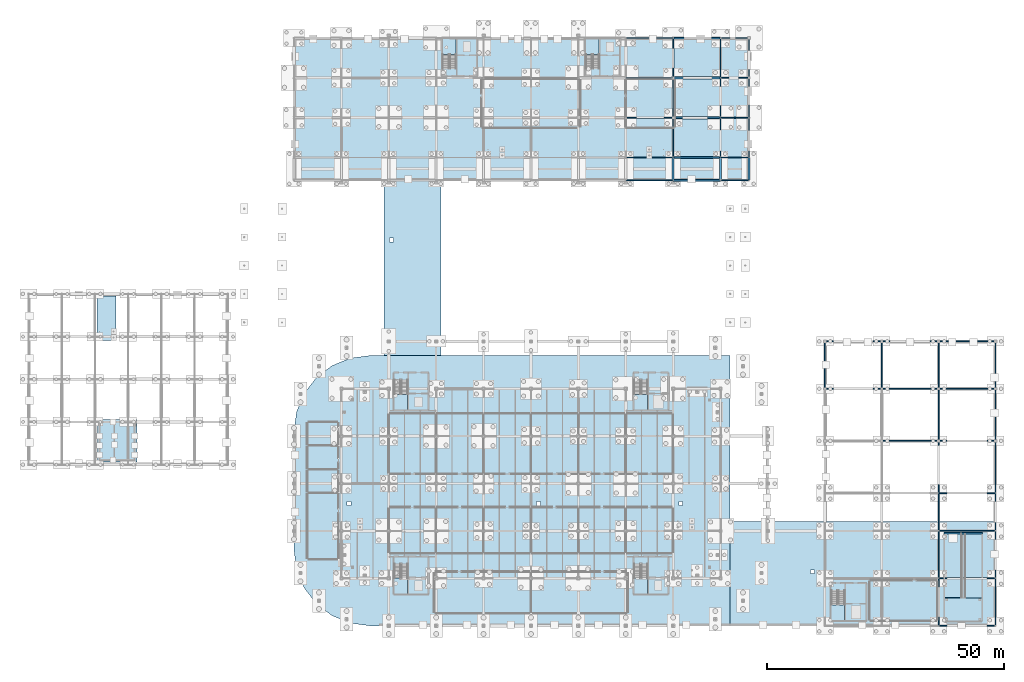
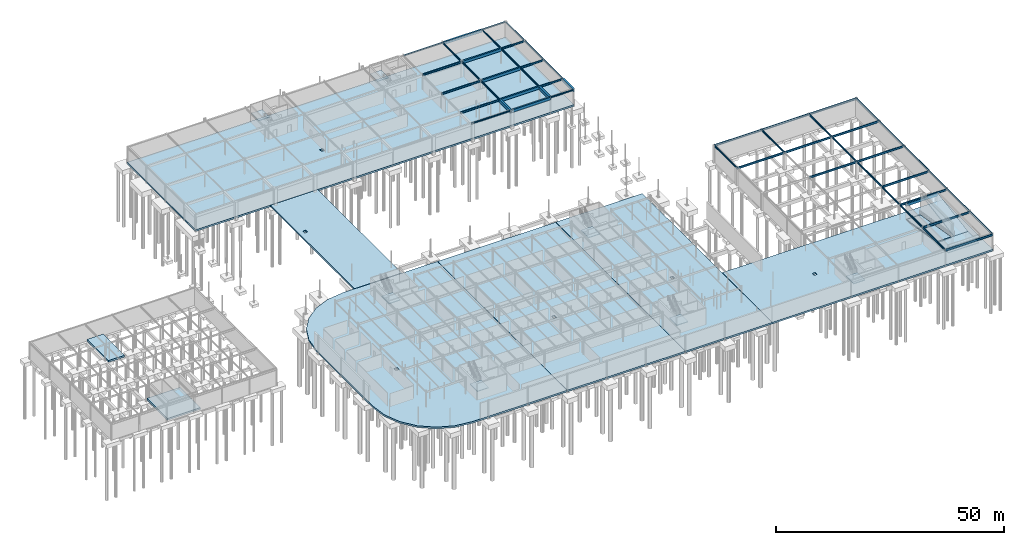
# One storey, part 59 of 75: 54 beams, 18 slabs, 7 elements without a shape of their own.
"""IFC4 building model written with IfcOpenShell, lengths in metres."""

from ifc_helpers import new_model, si_unit, derived_unit, direction, frame, origin, origin_2d_with_axis, place, context, subcontext, project, spatial, polyline, rectangle, i_section, outline, extrude, material, layer, layer_set, material_profile, profile_set, type_object, element, aggregate, save


model = new_model("IFC4")

# Units and contexts
model_context = context("Model", 3, precision=1e-05, world=origin(), true_north=direction((0.0, 1.0)))
body_context = subcontext(model_context, "Body", "Model", "MODEL_VIEW")
ifc_project = project(units=[si_unit("LENGTHUNIT", "METRE"), si_unit("AREAUNIT", "SQUARE_METRE"), si_unit("VOLUMEUNIT", "CUBIC_METRE"), si_unit("PLANEANGLEUNIT", "RADIAN"), si_unit("MASSUNIT", "GRAM", prefix="KILO"), derived_unit("THERMALTRANSMITTANCEUNIT", [(si_unit("POWERUNIT", "WATT"), 1), (si_unit("LENGTHUNIT", "METRE"), -2), (si_unit("THERMODYNAMICTEMPERATUREUNIT", "KELVIN"), -1)])], contexts=[model_context])

# Site, building, storey
site_placement = place(None, origin())
site = spatial("IfcSite", under=ifc_project, at=site_placement, CompositionType="ELEMENT")
building_placement = place(site_placement, origin())
building = spatial("IfcBuilding", under=site, at=building_placement, Name="Cinnabar Yard Market Hall", CompositionType="ELEMENT")
storey_placement = place(building_placement, frame((0.0, 0.0, -4.5)))
storey = spatial("IfcBuildingStorey", under=building, at=storey_placement, Name="B1", CompositionType="ELEMENT", Elevation=-4.5)

# Beams
ifc_material_1 = material(Name="Steel Grade 300 (300 MPa)", Category="steel")
ifc_material_profile_1 = material_profile(ifc_material_1, i_section(OverallWidth=0.208984375, OverallDepth=0.532958984375, WebThickness=0.01025390625, FlangeThickness=0.015625, FilletRadius=0.013916015625, at=origin_2d_with_axis()), Name="530UB92.4")
ifc_profile_set_1 = profile_set([ifc_material_profile_1], Name="Steel Grade 300 (300 MPa)")
beam_type_1 = type_object("IfcBeamType", Name="BM-B03", PredefinedType="BEAM", material=ifc_profile_set_1)
for number, where, z_axis, x_axis, name in (
    (1, (178.0, 64.0, 4.013427734375), (1.0, 0.0, 0.0), (0.0, 1.0, 0.0), "V4 Heavy Deck Girder X 01489"),
    (2, (178.0, 74.0, 4.013427734375), (1.0, 0.0, 0.0), (0.0, 1.0, 0.0), "V4 Heavy Deck Girder X 01490"),
    (3, (190.0, 53.0, 4.013427734375), (1.0, 0.0, 0.0), (0.0, 1.0, 0.0), "V4 Heavy Deck Girder X 01500"),
    (4, (190.0, 64.0, 4.013427734375), (1.0, 0.0, 0.0), (0.0, 1.0, 0.0), "V4 Heavy Deck Girder X 01501"),
    (5, (190.0, 74.0, 4.013427734375), (1.0, 0.0, 0.0), (0.0, 1.0, 0.0), "V4 Heavy Deck Girder X 01502"),
    (6, (202.0, 14.0, 3.93359375), (1.0, 0.0, 0.0), (0.0, 1.0, 0.0), "V4 Heavy Deck Girder X 01508"),
    (7, (202.0, 24.0, 3.93359375), (1.0, 0.0, 0.0), (0.0, 1.0, 0.0), "V4 Heavy Deck Girder X 01509"),
    (8, (202.0, 34.0, 3.93359375), (1.0, 0.0, 0.0), (0.0, 1.0, 0.0), "V4 Heavy Deck Girder X 01510"),
    (9, (202.0, 42.0, 3.93359375), (1.0, 0.0, 0.0), (0.0, 1.0, 0.0), "V4 Heavy Deck Girder X 01511"),
    (10, (202.0, 53.0, 4.013427734375), (1.0, 0.0, 0.0), (0.0, 1.0, 0.0), "V4 Heavy Deck Girder X 01512"),
    (11, (202.0, 64.0, 4.013427734375), (1.0, 0.0, 0.0), (0.0, 1.0, 0.0), "V4 Heavy Deck Girder X 01513"),
    (12, (202.0, 74.0, 4.013427734375), (1.0, 0.0, 0.0), (0.0, 1.0, 0.0), "V4 Heavy Deck Girder X 01514"),
):
    element("IfcBeam", number, at=place(storey_placement, frame(where, z_axis=z_axis, x_axis=x_axis)), inside=storey, type_object=beam_type_1, Name=name, PredefinedType="BEAM", context=body_context, shape_type="SweptSolid", body=[
        extrude(i_section(OverallWidth=0.208984375, OverallDepth=0.532958984375, WebThickness=0.01025390625, FlangeThickness=0.015625, FilletRadius=0.013916015625, at=origin_2d_with_axis()), origin(), (0.0, 0.0, 1.0), 12.0),
    ])
ifc_material_profile_2 = material_profile(ifc_material_1, i_section(OverallWidth=0.19091796875, OverallDepth=0.46044921875, WebThickness=0.010009765625, FlangeThickness=0.01611328125, FilletRadius=0.011474609375, at=origin_2d_with_axis()), Name="460UB82.1")
ifc_profile_set_2 = profile_set([ifc_material_profile_2], Name="Steel Grade 300 (300 MPa)")
beam_type_2 = type_object("IfcBeamType", Name="BM-B04", PredefinedType="BEAM", material=ifc_profile_set_2)
for number, where, z_axis, x_axis, name in (
    (13, (178.0, 64.0, 4.0498046875), (0.0, 1.0, 0.0), (-1.0, 0.0, 0.0), "V4 Heavy Deck Girder Y 01528"),
    (14, (190.0, 64.0, 4.0498046875), (0.0, 1.0, 0.0), (-1.0, 0.0, 0.0), "V4 Heavy Deck Girder Y 01537"),
    (15, (202.0, 14.0, 3.9697265625), (0.0, 1.0, 0.0), (-1.0, 0.0, 0.0), "V4 Heavy Deck Girder Y 01538"),
    (16, (202.0, 24.0, 3.9697265625), (0.0, 1.0, 0.0), (-1.0, 0.0, 0.0), "V4 Heavy Deck Girder Y 01540"),
):
    element("IfcBeam", number, at=place(storey_placement, frame(where, z_axis=z_axis, x_axis=x_axis)), inside=storey, type_object=beam_type_2, Name=name, PredefinedType="BEAM", context=body_context, shape_type="SweptSolid", body=[
        extrude(i_section(OverallWidth=0.19091796875, OverallDepth=0.46044921875, WebThickness=0.010009765625, FlangeThickness=0.01611328125, FilletRadius=0.011474609375, at=origin_2d_with_axis()), origin(), (0.0, 0.0, 1.0), 10.0),
    ])
beam_1_placement = place(storey_placement, frame((202.0, 34.0, 3.9697265625), z_axis=(0.0, 1.0, 0.0), x_axis=(-1.0, 0.0, 0.0)))
element("IfcBeam", 17, at=beam_1_placement, inside=storey, type_object=beam_type_2, Name="V4 Heavy Deck Girder Y 01542", PredefinedType="BEAM", context=body_context, shape_type="SweptSolid", body=[
    extrude(i_section(OverallWidth=0.19091796875, OverallDepth=0.46044921875, WebThickness=0.010009765625, FlangeThickness=0.01611328125, FilletRadius=0.011474609375, at=origin_2d_with_axis()), origin(), (0.0, 0.0, 1.0), 8.0),
])
for number, where, z_axis, x_axis, name in (
    (18, (202.0, 42.0, 4.0498046875), (0.0, 1.0, 0.0), (-1.0, 0.0, 0.0), "V4 Heavy Deck Girder Y 01544"),
    (19, (202.0, 53.0, 4.0498046875), (0.0, 1.0, 0.0), (-1.0, 0.0, 0.0), "V4 Heavy Deck Girder Y 01545"),
):
    element("IfcBeam", number, at=place(storey_placement, frame(where, z_axis=z_axis, x_axis=x_axis)), inside=storey, type_object=beam_type_2, Name=name, PredefinedType="BEAM", context=body_context, shape_type="SweptSolid", body=[
        extrude(i_section(OverallWidth=0.19091796875, OverallDepth=0.46044921875, WebThickness=0.010009765625, FlangeThickness=0.01611328125, FilletRadius=0.011474609375, at=origin_2d_with_axis()), origin(), (0.0, 0.0, 1.0), 11.0),
    ])
for number, where, z_axis, x_axis, name in (
    (20, (202.0, 64.0, 4.0498046875), (0.0, 1.0, 0.0), (-1.0, 0.0, 0.0), "V4 Heavy Deck Girder Y 01546"),
    (21, (214.0, 14.0, 3.9697265625), (0.0, 1.0, 0.0), (-1.0, 0.0, 0.0), "V4 Heavy Deck Girder Y 01547"),
    (22, (214.0, 24.0, 3.9697265625), (0.0, 1.0, 0.0), (-1.0, 0.0, 0.0), "V4 Heavy Deck Girder Y 01549"),
):
    element("IfcBeam", number, at=place(storey_placement, frame(where, z_axis=z_axis, x_axis=x_axis)), inside=storey, type_object=beam_type_2, Name=name, PredefinedType="BEAM", context=body_context, shape_type="SweptSolid", body=[
        extrude(i_section(OverallWidth=0.19091796875, OverallDepth=0.46044921875, WebThickness=0.010009765625, FlangeThickness=0.01611328125, FilletRadius=0.011474609375, at=origin_2d_with_axis()), origin(), (0.0, 0.0, 1.0), 10.0),
    ])
beam_2_placement = place(storey_placement, frame((214.0, 34.0, 3.9697265625), z_axis=(0.0, 1.0, 0.0), x_axis=(-1.0, 0.0, 0.0)))
element("IfcBeam", 23, at=beam_2_placement, inside=storey, type_object=beam_type_2, Name="V4 Heavy Deck Girder Y 01551", PredefinedType="BEAM", context=body_context, shape_type="SweptSolid", body=[
    extrude(i_section(OverallWidth=0.19091796875, OverallDepth=0.46044921875, WebThickness=0.010009765625, FlangeThickness=0.01611328125, FilletRadius=0.011474609375, at=origin_2d_with_axis()), origin(), (0.0, 0.0, 1.0), 8.0),
])
for number, where, z_axis, x_axis, name in (
    (24, (214.0, 42.0, 4.0498046875), (0.0, 1.0, 0.0), (-1.0, 0.0, 0.0), "V4 Heavy Deck Girder Y 01553"),
    (25, (214.0, 53.0, 4.0498046875), (0.0, 1.0, 0.0), (-1.0, 0.0, 0.0), "V4 Heavy Deck Girder Y 01554"),
):
    element("IfcBeam", number, at=place(storey_placement, frame(where, z_axis=z_axis, x_axis=x_axis)), inside=storey, type_object=beam_type_2, Name=name, PredefinedType="BEAM", context=body_context, shape_type="SweptSolid", body=[
        extrude(i_section(OverallWidth=0.19091796875, OverallDepth=0.46044921875, WebThickness=0.010009765625, FlangeThickness=0.01611328125, FilletRadius=0.011474609375, at=origin_2d_with_axis()), origin(), (0.0, 0.0, 1.0), 11.0),
    ])
beam_3_placement = place(storey_placement, frame((214.0, 64.0, 4.0498046875), z_axis=(0.0, 1.0, 0.0), x_axis=(-1.0, 0.0, 0.0)))
element("IfcBeam", 26, at=beam_3_placement, inside=storey, type_object=beam_type_2, Name="V4 Heavy Deck Girder Y 01555", PredefinedType="BEAM", context=body_context, shape_type="SweptSolid", body=[
    extrude(i_section(OverallWidth=0.19091796875, OverallDepth=0.46044921875, WebThickness=0.010009765625, FlangeThickness=0.01611328125, FilletRadius=0.011474609375, at=origin_2d_with_axis()), origin(), (0.0, 0.0, 1.0), 10.0),
])
ifc_material_profile_3 = material_profile(ifc_material_1, i_section(OverallWidth=0.18994140625, OverallDepth=0.453857421875, WebThickness=0.008544921875, FlangeThickness=0.0126953125, FilletRadius=0.011474609375, at=origin_2d_with_axis()), Name="460UB67.1")
ifc_profile_set_3 = profile_set([ifc_material_profile_3], Name="Steel Grade 300 (300 MPa)")
beam_type_3 = type_object("IfcBeamType", Name="BM-B05", PredefinedType="BEAM", material=ifc_profile_set_3)
for number, where, z_axis, x_axis, name in (
    (27, (136.06005859375, 112.800048828125, 3.97314453125), (1.0, 0.0, 0.0), (0.0, 1.0, 0.0), "V3 B1 Girder X 00801"),
    (28, (136.06005859375, 121.199951171875, 3.97314453125), (1.0, 0.0, 0.0), (0.0, 1.0, 0.0), "V3 B1 Girder X 00802"),
    (29, (136.06005859375, 129.60009765625, 3.97314453125), (1.0, 0.0, 0.0), (0.0, 1.0, 0.0), "V3 B1 Girder X 00803"),
):
    element("IfcBeam", number, at=place(storey_placement, frame(where, z_axis=z_axis, x_axis=x_axis)), inside=storey, type_object=beam_type_3, Name=name, PredefinedType="BEAM", context=body_context, shape_type="SweptSolid", body=[
        extrude(i_section(OverallWidth=0.18994140625, OverallDepth=0.453857421875, WebThickness=0.008544921875, FlangeThickness=0.0126953125, FilletRadius=0.011474609375, at=origin_2d_with_axis()), origin(), (0.0, 0.0, 1.0), 9.8798828125),
    ])
for number, where, z_axis, x_axis, name in (
    (30, (156.06005859375, 112.800048828125, 3.97314453125), (1.0, 0.0, 0.0), (0.0, 1.0, 0.0), "V3 B1 Girder X 00811"),
    (31, (156.06005859375, 121.199951171875, 3.97314453125), (1.0, 0.0, 0.0), (0.0, 1.0, 0.0), "V3 B1 Girder X 00812"),
    (32, (156.06005859375, 129.60009765625, 3.97314453125), (1.0, 0.0, 0.0), (0.0, 1.0, 0.0), "V3 B1 Girder X 00813"),
):
    element("IfcBeam", number, at=place(storey_placement, frame(where, z_axis=z_axis, x_axis=x_axis)), inside=storey, type_object=beam_type_3, Name=name, PredefinedType="BEAM", context=body_context, shape_type="SweptSolid", body=[
        extrude(i_section(OverallWidth=0.18994140625, OverallDepth=0.453857421875, WebThickness=0.008544921875, FlangeThickness=0.0126953125, FilletRadius=0.011474609375, at=origin_2d_with_axis()), origin(), (0.0, 0.0, 1.0), 5.8798828125),
    ])
ifc_material_profile_4 = material_profile(ifc_material_1, i_section(OverallWidth=0.177978515625, OverallDepth=0.406494140625, WebThickness=0.0078125, FlangeThickness=0.0126953125, FilletRadius=0.011474609375, at=origin_2d_with_axis()), Name="410UB59.7")
ifc_profile_set_4 = profile_set([ifc_material_profile_4], Name="Steel Grade 300 (300 MPa)")
beam_type_4 = type_object("IfcBeamType", Name="BM-B06", PredefinedType="BEAM", material=ifc_profile_set_4)
beam_4_placement = place(storey_placement, frame((146.0, 112.860107421875, 3.996826171875), z_axis=(0.0, 1.0, 0.0), x_axis=(-1.0, 0.0, 0.0)))
element("IfcBeam", 33, at=beam_4_placement, inside=storey, type_object=beam_type_4, Name="V3 B1 Girder Y 00848", PredefinedType="BEAM", context=body_context, shape_type="SweptSolid", body=[
    extrude(i_section(OverallWidth=0.177978515625, OverallDepth=0.406494140625, WebThickness=0.0078125, FlangeThickness=0.0126953125, FilletRadius=0.011474609375, at=origin_2d_with_axis()), origin(), (0.0, 0.0, 1.0), 8.27978515625),
])
for number, where, z_axis, x_axis, name in (
    (34, (146.0, 121.260009765625, 3.996826171875), (0.0, 1.0, 0.0), (-1.0, 0.0, 0.0), "V3 B1 Girder Y 00849"),
    (35, (146.0, 129.659912109375, 3.996826171875), (0.0, 1.0, 0.0), (-1.0, 0.0, 0.0), "V3 B1 Girder Y 00850"),
):
    element("IfcBeam", number, at=place(storey_placement, frame(where, z_axis=z_axis, x_axis=x_axis)), inside=storey, type_object=beam_type_4, Name=name, PredefinedType="BEAM", context=body_context, shape_type="SweptSolid", body=[
        extrude(i_section(OverallWidth=0.177978515625, OverallDepth=0.406494140625, WebThickness=0.0078125, FlangeThickness=0.0126953125, FilletRadius=0.011474609375, at=origin_2d_with_axis()), origin(), (0.0, 0.0, 1.0), 8.280029296875),
    ])
beam_5_placement = place(storey_placement, frame((156.0, 112.860107421875, 3.996826171875), z_axis=(0.0, 1.0, 0.0), x_axis=(-1.0, 0.0, 0.0)))
element("IfcBeam", 36, at=beam_5_placement, inside=storey, type_object=beam_type_4, Name="V3 B1 Girder Y 00852", PredefinedType="BEAM", context=body_context, shape_type="SweptSolid", body=[
    extrude(i_section(OverallWidth=0.177978515625, OverallDepth=0.406494140625, WebThickness=0.0078125, FlangeThickness=0.0126953125, FilletRadius=0.011474609375, at=origin_2d_with_axis()), origin(), (0.0, 0.0, 1.0), 8.27978515625),
])
for number, where, z_axis, x_axis, name in (
    (37, (156.0, 121.260009765625, 3.996826171875), (0.0, 1.0, 0.0), (-1.0, 0.0, 0.0), "V3 B1 Girder Y 00853"),
    (38, (156.0, 129.659912109375, 3.996826171875), (0.0, 1.0, 0.0), (-1.0, 0.0, 0.0), "V3 B1 Girder Y 00854"),
):
    element("IfcBeam", number, at=place(storey_placement, frame(where, z_axis=z_axis, x_axis=x_axis)), inside=storey, type_object=beam_type_4, Name=name, PredefinedType="BEAM", context=body_context, shape_type="SweptSolid", body=[
        extrude(i_section(OverallWidth=0.177978515625, OverallDepth=0.406494140625, WebThickness=0.0078125, FlangeThickness=0.0126953125, FilletRadius=0.011474609375, at=origin_2d_with_axis()), origin(), (0.0, 0.0, 1.0), 8.280029296875),
    ])
ifc_material_2 = material(Name="Concrete 40 MPa", Category="concrete")
ifc_material_profile_5 = material_profile(ifc_material_2, rectangle(XDim=0.39990234375, YDim=0.699951171875, at=origin_2d_with_axis()), Name="RCB-400x700")
ifc_profile_set_5 = profile_set([ifc_material_profile_5], Name="Concrete 40 MPa")
beam_type_5 = type_object("IfcBeamType", Name="BM-RCB1", PredefinedType="BEAM", material=ifc_profile_set_5)
for number, where, z_axis, x_axis, name in (
    (39, (146.06005859375, 108.0, 3.85009765625), (1.0, 0.0, 0.0), (0.0, 1.0, 0.0), "V3 B1 Girder X 00805"),
    (40, (146.06005859375, 112.800048828125, 3.85009765625), (1.0, 0.0, 0.0), (0.0, 1.0, 0.0), "V3 B1 Girder X 00806"),
    (41, (146.06005859375, 121.199951171875, 3.85009765625), (1.0, 0.0, 0.0), (0.0, 1.0, 0.0), "V3 B1 Girder X 00807"),
    (42, (146.06005859375, 129.60009765625, 3.85009765625), (1.0, 0.0, 0.0), (0.0, 1.0, 0.0), "V3 B1 Girder X 00808"),
    (43, (146.06005859375, 138.0, 3.85009765625), (1.0, 0.0, 0.0), (0.0, 1.0, 0.0), "V3 B1 Girder X 00809"),
):
    element("IfcBeam", number, at=place(storey_placement, frame(where, z_axis=z_axis, x_axis=x_axis)), inside=storey, type_object=beam_type_5, Name=name, PredefinedType="BEAM", context=body_context, shape_type="SweptSolid", body=[
        extrude(rectangle(XDim=0.39990234375, YDim=0.699951171875, at=origin_2d_with_axis()), origin(), (0.0, 0.0, 1.0), 9.8798828125),
    ])
beam_6_placement = place(storey_placement, frame((203.179931640625, 33.580078125, 3.85009765625), z_axis=(1.0, 0.0, 0.0), x_axis=(0.0, 1.0, 0.0)))
element("IfcBeam", 44, at=beam_6_placement, inside=storey, type_object=beam_type_5, Name="Vehicle Ramp Threshold Beam E 01483", PredefinedType="BEAM", context=body_context, shape_type="SweptSolid", body=[
    extrude(rectangle(XDim=0.39990234375, YDim=0.699951171875, at=origin_2d_with_axis()), origin(), (0.0, 0.0, 1.0), 8.0400390625),
])
ifc_material_profile_6 = material_profile(ifc_material_2, rectangle(XDim=0.449951171875, YDim=0.85009765625, at=origin_2d_with_axis()), Name="RCB-450x850")
ifc_profile_set_6 = profile_set([ifc_material_profile_6], Name="Concrete 40 MPa")
beam_type_6 = type_object("IfcBeamType", Name="BM-RCB2", PredefinedType="BEAM", material=ifc_profile_set_6)
for number, where, z_axis, x_axis, name in (
    (45, (146.0, 108.06005859375, 3.77490234375), (0.0, 1.0, 0.0), (-1.0, 0.0, 0.0), "V3 B1 Girder Y 00847"),
    (46, (156.0, 108.06005859375, 3.77490234375), (0.0, 1.0, 0.0), (-1.0, 0.0, 0.0), "V3 B1 Girder Y 00851"),
    (47, (162.0, 108.06005859375, 3.77490234375), (0.0, 1.0, 0.0), (-1.0, 0.0, 0.0), "V3 B1 Girder Y 00855"),
):
    element("IfcBeam", number, at=place(storey_placement, frame(where, z_axis=z_axis, x_axis=x_axis)), inside=storey, type_object=beam_type_6, Name=name, PredefinedType="BEAM", context=body_context, shape_type="SweptSolid", body=[
        extrude(rectangle(XDim=0.449951171875, YDim=0.85009765625, at=origin_2d_with_axis()), origin(), (0.0, 0.0, 1.0), 4.679931640625),
    ])
ifc_material_profile_7 = material_profile(ifc_material_1, i_section(OverallWidth=0.172119140625, OverallDepth=0.358642578125, WebThickness=0.008056640625, FlangeThickness=0.012939453125, FilletRadius=0.011474609375, at=origin_2d_with_axis()), Name="360UB56.7")
ifc_profile_set_7 = profile_set([ifc_material_profile_7], Name="Steel Grade 300 (300 MPa)")
beam_type_7 = type_object("IfcBeamType", Name="BM-SP02", PredefinedType="SPANDREL", material=ifc_profile_set_7)
for number, where, z_axis, x_axis, name in (
    (48, (136.06005859375, 108.0, 4.020751953125), (1.0, 0.0, 0.0), (0.0, 1.0, 0.0), "V3 B1 Girder X 00800"),
    (49, (136.06005859375, 138.0, 4.020751953125), (1.0, 0.0, 0.0), (0.0, 1.0, 0.0), "V3 B1 Girder X 00804"),
):
    element("IfcBeam", number, at=place(storey_placement, frame(where, z_axis=z_axis, x_axis=x_axis)), inside=storey, type_object=beam_type_7, Name=name, PredefinedType="SPANDREL", context=body_context, shape_type="SweptSolid", body=[
        extrude(i_section(OverallWidth=0.172119140625, OverallDepth=0.358642578125, WebThickness=0.008056640625, FlangeThickness=0.012939453125, FilletRadius=0.011474609375, at=origin_2d_with_axis()), origin(), (0.0, 0.0, 1.0), 9.8798828125),
    ])
for number, where, z_axis, x_axis, name in (
    (50, (156.06005859375, 108.0, 4.020751953125), (1.0, 0.0, 0.0), (0.0, 1.0, 0.0), "V3 B1 Girder X 00810"),
    (51, (156.06005859375, 138.0, 4.020751953125), (1.0, 0.0, 0.0), (0.0, 1.0, 0.0), "V3 B1 Girder X 00814"),
):
    element("IfcBeam", number, at=place(storey_placement, frame(where, z_axis=z_axis, x_axis=x_axis)), inside=storey, type_object=beam_type_7, Name=name, PredefinedType="SPANDREL", context=body_context, shape_type="SweptSolid", body=[
        extrude(i_section(OverallWidth=0.172119140625, OverallDepth=0.358642578125, WebThickness=0.008056640625, FlangeThickness=0.012939453125, FilletRadius=0.011474609375, at=origin_2d_with_axis()), origin(), (0.0, 0.0, 1.0), 5.8798828125),
    ])
beam_7_placement = place(storey_placement, frame((162.0, 112.860107421875, 4.020751953125), z_axis=(0.0, 1.0, 0.0), x_axis=(-1.0, 0.0, 0.0)))
element("IfcBeam", 52, at=beam_7_placement, inside=storey, type_object=beam_type_7, Name="V3 B1 Girder Y 00856", PredefinedType="SPANDREL", context=body_context, shape_type="SweptSolid", body=[
    extrude(i_section(OverallWidth=0.172119140625, OverallDepth=0.358642578125, WebThickness=0.008056640625, FlangeThickness=0.012939453125, FilletRadius=0.011474609375, at=origin_2d_with_axis()), origin(), (0.0, 0.0, 1.0), 8.27978515625),
])
for number, where, z_axis, x_axis, name in (
    (53, (162.0, 121.260009765625, 4.020751953125), (0.0, 1.0, 0.0), (-1.0, 0.0, 0.0), "V3 B1 Girder Y 00857"),
    (54, (162.0, 129.659912109375, 4.020751953125), (0.0, 1.0, 0.0), (-1.0, 0.0, 0.0), "V3 B1 Girder Y 00858"),
):
    element("IfcBeam", number, at=place(storey_placement, frame(where, z_axis=z_axis, x_axis=x_axis)), inside=storey, type_object=beam_type_7, Name=name, PredefinedType="SPANDREL", context=body_context, shape_type="SweptSolid", body=[
        extrude(i_section(OverallWidth=0.172119140625, OverallDepth=0.358642578125, WebThickness=0.008056640625, FlangeThickness=0.012939453125, FilletRadius=0.011474609375, at=origin_2d_with_axis()), origin(), (0.0, 0.0, 1.0), 8.280029296875),
    ])

# Slabs
ifc_layer_1 = layer(ifc_material_2, 0.449951171875)
ifc_layer_set_1 = layer_set([ifc_layer_1], Name="Concrete 40 MPa")
slab_type_1 = type_object("IfcSlabType", Name="SL-B1", PredefinedType="BASESLAB", material=ifc_layer_set_1)
slab_1_placement = place(storey_placement, frame((0.0, 0.0, -0.449951171875)))
element("IfcSlab", 55, at=slab_1_placement, inside=storey, type_object=slab_type_1, Name="B1 Market Base Slab Zone 1", PredefinedType="BASESLAB", context=body_context, shape_type="SweptSolid", body=[
    extrude(outline(polyline([(66.0, 30.0), (66.545166015625, 25.85888671875), (68.1435546875, 22.0), (70.686279296875, 18.686279296875), (74.0, 16.1435546875), (77.85888671875, 14.545166015625), (82.0, 14.0), (106.0, 14.0), (106.0, 71.0), (82.0, 71.0), (77.85888671875, 70.454833984375), (74.0, 68.8564453125), (70.686279296875, 66.313720703125), (68.1435546875, 63.0), (66.545166015625, 59.14111328125), (66.0, 55.0), (66.0, 30.0)]), holes=[polyline([(77.199951171875, 39.39990234375), (78.0, 39.39990234375), (78.0, 40.199951171875), (77.199951171875, 40.199951171875), (77.199951171875, 39.39990234375)])]), origin(), (0.0, 0.0, 1.0), 0.449951171875),
])
slab_2_placement = place(storey_placement, frame((0.0, 0.0, -0.449951171875)))
element("IfcSlab", 56, at=slab_2_placement, inside=storey, type_object=slab_type_1, Name="B1 Market Base Slab Zone 2", PredefinedType="BASESLAB", context=body_context, shape_type="SweptSolid", body=[
    extrude(outline(polyline([(106.0400390625, 14.0), (136.0, 14.0), (136.0, 71.0), (106.0400390625, 71.0), (106.0400390625, 14.0)]), holes=[polyline([(117.199951171875, 39.39990234375), (118.0, 39.39990234375), (118.0, 40.199951171875), (117.199951171875, 40.199951171875), (117.199951171875, 39.39990234375)])]), origin(), (0.0, 0.0, 1.0), 0.449951171875),
])
slab_3_placement = place(storey_placement, frame((0.0, 0.0, -0.449951171875)))
element("IfcSlab", 57, at=slab_3_placement, inside=storey, type_object=slab_type_1, Name="B1 Market Base Slab Zone 3", PredefinedType="BASESLAB", context=body_context, shape_type="SweptSolid", body=[
    extrude(outline(polyline([(136.0400390625, 14.0), (158.0, 14.0), (158.0, 71.0), (136.0400390625, 71.0), (136.0400390625, 14.0)]), holes=[polyline([(147.199951171875, 39.39990234375), (148.0, 39.39990234375), (148.0, 40.199951171875), (147.199951171875, 40.199951171875), (147.199951171875, 39.39990234375)])]), origin(), (0.0, 0.0, 1.0), 0.449951171875),
])
slab_4_placement = place(storey_placement, frame((0.0, 0.0, -0.449951171875)))
element("IfcSlab", 58, at=slab_4_placement, inside=storey, type_object=slab_type_1, Name="B1 North Link Base Slab", PredefinedType="BASESLAB", context=body_context, shape_type="SweptSolid", body=[
    extrude(outline(polyline([(85.0, 71.0400390625), (97.0, 71.0400390625), (97.0, 107.9599609375), (85.0, 107.9599609375), (85.0, 71.0400390625)]), holes=[polyline([(86.199951171875, 95.0), (87.0, 95.0), (87.0, 95.800048828125), (86.199951171875, 95.800048828125), (86.199951171875, 95.0)])]), origin(), (0.0, 0.0, 1.0), 0.449951171875),
])
slab_5_placement = place(storey_placement, frame((0.0, 0.0, -0.449951171875)))
element("IfcSlab", 59, at=slab_5_placement, inside=storey, type_object=slab_type_1, Name="B1 Culinary Basement Base Slab", PredefinedType="BASESLAB", context=body_context, shape_type="SweptSolid", body=[
    extrude(outline(polyline([(66.0, 108.0), (162.0, 108.0), (162.0, 138.0), (66.0, 138.0), (66.0, 108.0)]), holes=[polyline([(105.0, 120.199951171875), (105.800048828125, 120.199951171875), (105.800048828125, 121.0), (105.0, 121.0), (105.0, 120.199951171875)])]), origin(), (0.0, 0.0, 1.0), 0.449951171875),
])
slab_6_placement = place(storey_placement, frame((0.0, 0.0, -0.449951171875)))
element("IfcSlab", 60, at=slab_6_placement, inside=storey, type_object=slab_type_1, Name="B1 Core C4 Base Slab", PredefinedType="BASESLAB", context=body_context, shape_type="SweptSolid", body=[
    extrude(outline(polyline([(24.5, 48.5), (32.89990234375, 48.5), (32.89990234375, 57.5), (24.5, 57.5), (24.5, 48.5)])), origin(), (0.0, 0.0, 1.0), 0.449951171875),
])
slab_7_placement = place(storey_placement, frame((0.0, 0.0, -0.449951171875)))
element("IfcSlab", 61, at=slab_7_placement, inside=storey, type_object=slab_type_1, Name="B1 Stair ST-F3 Base Slab", PredefinedType="BASESLAB", context=body_context, shape_type="SweptSolid", body=[
    extrude(outline(polyline([(24.39990234375, 74.199951171875), (28.5, 74.199951171875), (28.5, 83.60009765625), (24.39990234375, 83.60009765625), (24.39990234375, 74.199951171875)])), origin(), (0.0, 0.0, 1.0), 0.449951171875),
])
slab_8_placement = place(storey_placement, frame((0.0, 0.0, -0.449951171875)))
element("IfcSlab", 62, at=slab_8_placement, inside=storey, type_object=slab_type_1, Name="B1 Loading Link Base Slab", PredefinedType="BASESLAB", context=body_context, shape_type="SweptSolid", body=[
    extrude(outline(polyline([(158.0400390625, 14.0), (214.0, 14.0), (214.0, 36.0), (158.0400390625, 36.0), (158.0400390625, 14.0)]), holes=[polyline([(175.0, 25.0), (175.800048828125, 25.0), (175.800048828125, 25.800048828125), (175.0, 25.800048828125), (175.0, 25.0)]), polyline([(203.260009765625, 31.5), (206.8701171875, 31.5), (206.8701171875, 33.449951171875), (203.260009765625, 33.449951171875), (203.260009765625, 31.5)])]), origin(), (0.0, 0.0, 1.0), 0.449951171875),
])

# Stair, slab
stair_type = type_object("IfcStairType", Name="ST-CORE", PredefinedType="HALF_TURN_STAIR", material=ifc_material_2)
stair_1_placement = place(storey_placement, origin())
stair_1 = element("IfcStair", 63, at=stair_1_placement, inside=storey, type_object=stair_type, Name="B1 Market Hall South-West Core Stair", PredefinedType="HALF_TURN_STAIR")
ifc_layer_2 = layer(ifc_material_2, 0.199951171875)
ifc_layer_set_2 = layer_set([ifc_layer_2], Name="Concrete 40 MPa")
slab_type_2 = type_object("IfcSlabType", Name="SL-LAND", PredefinedType="LANDING", material=ifc_layer_set_2)
slab_9_placement = place(storey_placement, frame((0.0, 0.0, 2.050048828125)))
slab_9 = element("IfcSlab", 64, at=slab_9_placement, type_object=slab_type_2, Name="ST-C1 landing 1", PredefinedType="LANDING", context=body_context, shape_type="SweptSolid", body=[
    extrude(outline(polyline([(87.139892578125, 24.030029296875), (87.139892578125, 20.739990234375), (90.0, 20.739990234375), (90.0, 24.030029296875), (87.139892578125, 24.030029296875)])), origin(), (0.0, 0.0, 1.0), 0.199951171875),
])
aggregate(stair_1, [slab_9])

stair_2_placement = place(storey_placement, origin())
stair_2 = element("IfcStair", 65, at=stair_2_placement, inside=storey, type_object=stair_type, Name="B1 Market Hall South-East Core Stair", PredefinedType="HALF_TURN_STAIR")
slab_10_placement = place(storey_placement, frame((0.0, 0.0, 2.050048828125)))
slab_10 = element("IfcSlab", 66, at=slab_10_placement, type_object=slab_type_2, Name="ST-C2 landing 1", PredefinedType="LANDING", context=body_context, shape_type="SweptSolid", body=[
    extrude(outline(polyline([(137.739990234375, 24.030029296875), (137.739990234375, 20.739990234375), (140.60009765625, 20.739990234375), (140.60009765625, 24.030029296875), (137.739990234375, 24.030029296875)])), origin(), (0.0, 0.0, 1.0), 0.199951171875),
])
aggregate(stair_2, [slab_10])

stair_3_placement = place(storey_placement, origin())
stair_3 = element("IfcStair", 67, at=stair_3_placement, inside=storey, type_object=stair_type, Name="B1 Market Hall North-West Core Stair", PredefinedType="HALF_TURN_STAIR")
slab_11_placement = place(storey_placement, frame((0.0, 0.0, 2.050048828125)))
slab_11 = element("IfcSlab", 68, at=slab_11_placement, type_object=slab_type_2, Name="ST-C3 landing 1", PredefinedType="LANDING", context=body_context, shape_type="SweptSolid", body=[
    extrude(outline(polyline([(87.139892578125, 62.830078125), (87.139892578125, 59.5400390625), (90.0, 59.5400390625), (90.0, 62.830078125), (87.139892578125, 62.830078125)])), origin(), (0.0, 0.0, 1.0), 0.199951171875),
])
aggregate(stair_3, [slab_11])

stair_4_placement = place(storey_placement, origin())
stair_4 = element("IfcStair", 69, at=stair_4_placement, inside=storey, type_object=stair_type, Name="B1 Cooking School West Core Stair", PredefinedType="HALF_TURN_STAIR")
slab_12_placement = place(storey_placement, frame((0.0, 0.0, 2.050048828125)))
slab_12 = element("IfcSlab", 70, at=slab_12_placement, type_object=slab_type_2, Name="ST-C5 landing 1", PredefinedType="LANDING", context=body_context, shape_type="SweptSolid", body=[
    extrude(outline(polyline([(100.199951171875, 134.570068359375), (100.199951171875, 137.860107421875), (97.340087890625, 137.860107421875), (97.340087890625, 134.570068359375), (100.199951171875, 134.570068359375)])), origin(), (0.0, 0.0, 1.0), 0.199951171875),
])
aggregate(stair_4, [slab_12])

stair_5_placement = place(storey_placement, origin())
stair_5 = element("IfcStair", 71, at=stair_5_placement, inside=storey, type_object=stair_type, Name="B1 Cooking School East Core Stair", PredefinedType="HALF_TURN_STAIR")
slab_13_placement = place(storey_placement, frame((0.0, 0.0, 2.050048828125)))
slab_13 = element("IfcSlab", 72, at=slab_13_placement, type_object=slab_type_2, Name="ST-C6 landing 1", PredefinedType="LANDING", context=body_context, shape_type="SweptSolid", body=[
    extrude(outline(polyline([(130.39990234375, 134.570068359375), (130.39990234375, 137.860107421875), (127.5400390625, 137.860107421875), (127.5400390625, 134.570068359375), (130.39990234375, 134.570068359375)])), origin(), (0.0, 0.0, 1.0), 0.199951171875),
])
aggregate(stair_5, [slab_13])

stair_6_placement = place(storey_placement, origin())
stair_6 = element("IfcStair", 73, at=stair_6_placement, inside=storey, type_object=stair_type, Name="B1 Cold-Chain Goods Core Stair", PredefinedType="HALF_TURN_STAIR")
slab_14_placement = place(storey_placement, frame((0.0, 0.0, 2.050048828125)))
slab_14 = element("IfcSlab", 74, at=slab_14_placement, type_object=slab_type_2, Name="ST-C7 landing 1", PredefinedType="LANDING", context=body_context, shape_type="SweptSolid", body=[
    extrude(outline(polyline([(137.739990234375, 62.830078125), (137.739990234375, 59.5400390625), (140.60009765625, 59.5400390625), (140.60009765625, 62.830078125), (137.739990234375, 62.830078125)])), origin(), (0.0, 0.0, 1.0), 0.199951171875),
])
aggregate(stair_6, [slab_14])

stair_7_placement = place(storey_placement, origin())
stair_7 = element("IfcStair", 75, at=stair_7_placement, inside=storey, type_object=stair_type, Name="B1 Loading Dock Goods Core Stair", PredefinedType="HALF_TURN_STAIR")
slab_15_placement = place(storey_placement, frame((0.0, 0.0, 2.050048828125)))
slab_15 = element("IfcSlab", 76, at=slab_15_placement, type_object=slab_type_2, Name="ST-C8 landing 1", PredefinedType="LANDING", context=body_context, shape_type="SweptSolid", body=[
    extrude(outline(polyline([(179.340087890625, 18.429931640625), (179.340087890625, 15.139892578125), (182.199951171875, 15.139892578125), (182.199951171875, 18.429931640625), (179.340087890625, 18.429931640625)])), origin(), (0.0, 0.0, 1.0), 0.199951171875),
])
aggregate(stair_7, [slab_15])

# Slabs
slab_16_placement = place(storey_placement, frame((0.0, 0.0, 2.050048828125)))
element("IfcSlab", 77, at=slab_16_placement, inside=storey, type_object=slab_type_2, Name="Cold-Chain Vehicle Ramp Mid Landing", PredefinedType="LANDING", context=body_context, shape_type="SweptSolid", body=[
    extrude(outline(polyline([(203.280029296875, 15.0), (211.1201171875, 15.0), (211.1201171875, 19.860107421875), (203.280029296875, 19.860107421875), (203.280029296875, 15.0)])), origin(), (0.0, 0.0, 1.0), 0.199951171875),
])
ifc_layer_3 = layer(ifc_material_2, 0.300048828125)
ifc_layer_set_3 = layer_set([ifc_layer_3], Name="Concrete 40 MPa")
slab_type_3 = type_object("IfcSlabType", Name="SL-RMP", PredefinedType="FLOOR", material=ifc_layer_set_3)
slab_17_placement = place(storey_placement, frame((207.550048828125, 19.8798828125, 2.25), z_axis=(0.0, -0.16511072886, 0.986275036293), x_axis=(1.0, 0.0, 0.0)))
element("IfcSlab", 78, at=slab_17_placement, inside=storey, type_object=slab_type_3, Name="Cold-Chain Vehicle Ramp Upper Structural Slab", PredefinedType="FLOOR", context=body_context, shape_type="SweptSolid", body=[
    extrude(outline(polyline([(0.0, 0.0), (3.570068359375, 0.0), (3.570068359375, 13.627218627967618), (0.0, 13.627218627967618), (0.0, 0.0)])), origin(), (0.0, 0.0, -1.0), 0.300048828125),
])
slab_18_placement = place(storey_placement, frame((203.280029296875, 19.929931640625, 2.25), z_axis=(0.0, 0.164755552665, 0.986334430032), x_axis=(1.0, 0.0, 0.0)))
element("IfcSlab", 79, at=slab_18_placement, inside=storey, type_object=slab_type_3, Name="Cold-Chain Vehicle Ramp Lower Structural Slab", PredefinedType="FLOOR", context=body_context, shape_type="SweptSolid", body=[
    extrude(outline(polyline([(0.0, 0.0), (3.570068359375, 0.0), (3.570068359375, 13.65659586950737), (0.0, 13.65659586950737), (0.0, 0.0)])), origin(), (0.0, 0.0, -1.0), 0.300048828125),
])

save(model, "model.ifc")
